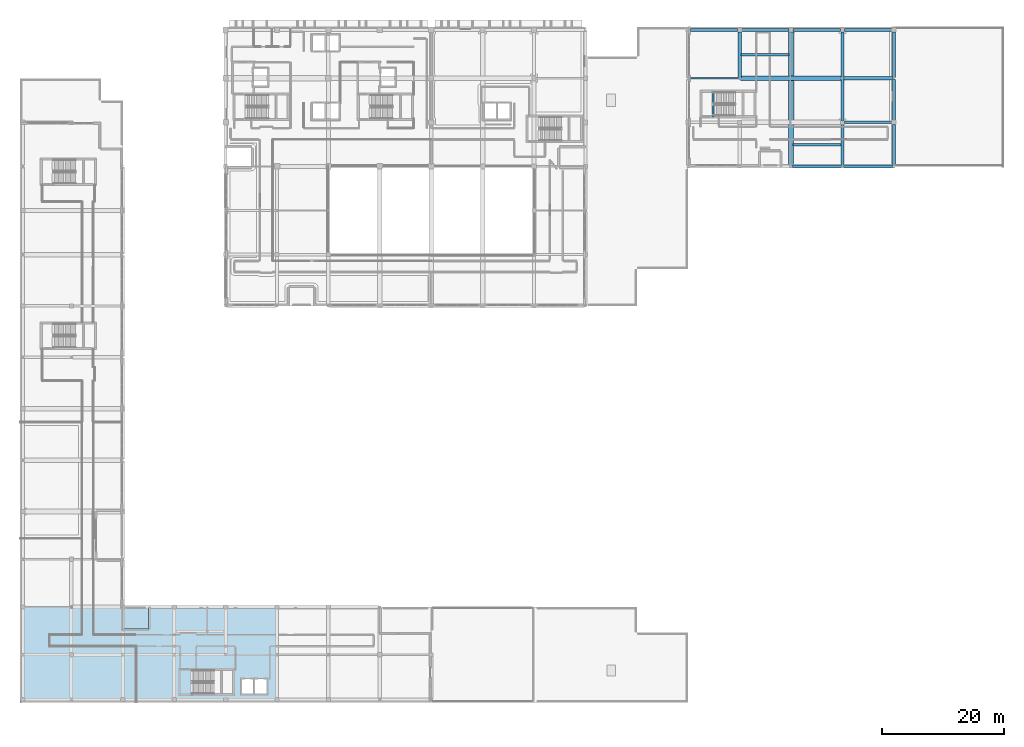
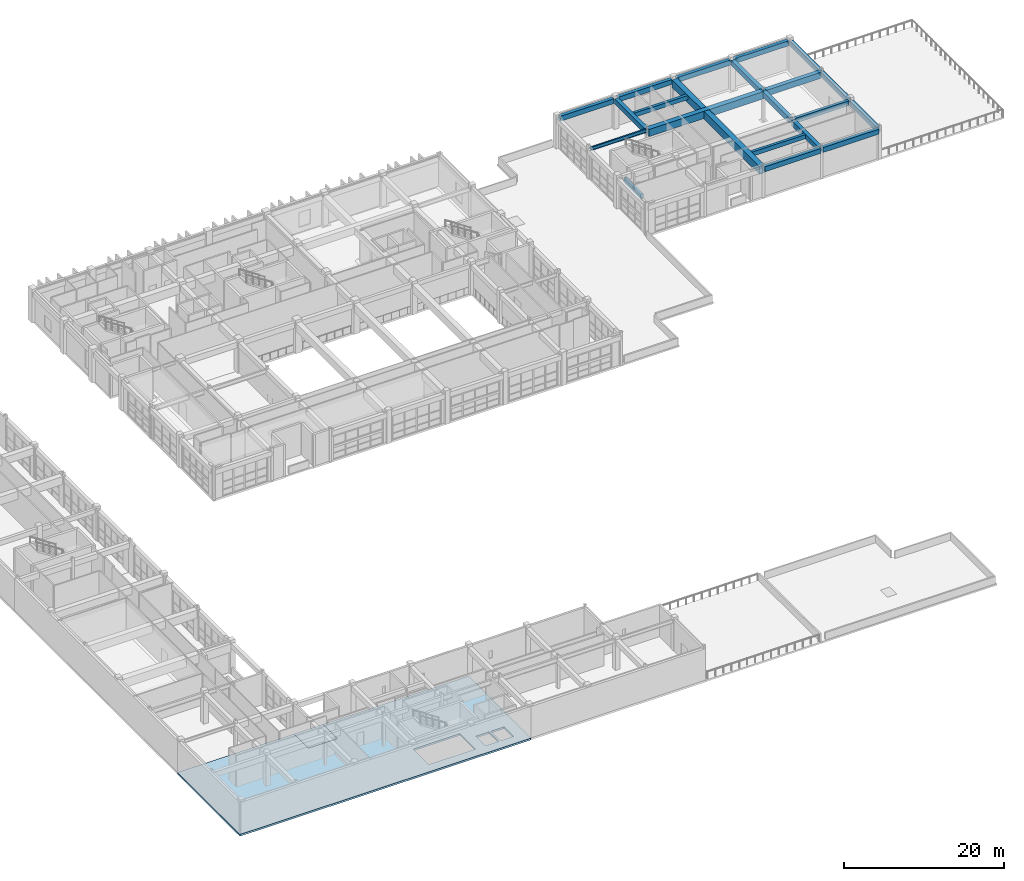
# One storey, part 48 of 78: 21 beams, 2 slabs.
"""IFC4 building model written with IfcOpenShell, lengths in metres."""

from ifc_helpers import new_model, si_unit, direction, frame, origin, origin_2d, place, context, subcontext, project, spatial, polyline, rectangle, i_section, outline, extrude, material, layer, layer_set, material_profile, profile_set, type_object, element, save


model = new_model("IFC4")

# Units and contexts
model_context = context("Model", 3, precision=1e-05, world=origin(), true_north=direction((0.0, 1.0)))
body_context = subcontext(model_context, "Body", "Model", "MODEL_VIEW")
ifc_project = project(units=[si_unit("LENGTHUNIT", "METRE"), si_unit("AREAUNIT", "SQUARE_METRE"), si_unit("VOLUMEUNIT", "CUBIC_METRE"), si_unit("PLANEANGLEUNIT", "RADIAN"), si_unit("MASSUNIT", "GRAM", prefix="KILO")], contexts=[model_context])

# Site, building, storey
site_placement = place(None, origin())
site = spatial("IfcSite", under=ifc_project, at=site_placement, CompositionType="ELEMENT")
building_placement = place(site_placement, origin())
building = spatial("IfcBuilding", under=site, at=building_placement, Name="Quendrovan Civic Courthouse", CompositionType="ELEMENT")
storey_placement = place(building_placement, frame((0.0, 0.0, 10.199951171875)))
storey = spatial("IfcBuildingStorey", under=building, at=storey_placement, Name="L03", CompositionType="ELEMENT", Elevation=10.199951171875)

# Beams
ifc_material_1 = material(Name="Post-tensioned concrete C50/60", Category="concrete")
ifc_material_profile_1 = material_profile(ifc_material_1, rectangle(XDim=0.699951171875, YDim=1.10009765625, at=origin_2d()), Name="PT-GIRD-700x1100")
ifc_profile_set_1 = profile_set([ifc_material_profile_1], Name="Post-tensioned concrete C50/60")
beam_type_1 = type_object("IfcBeamType", Name="BM-PT1100", PredefinedType="BEAM", material=ifc_profile_set_1)
beam_1_placement = place(storey_placement, frame((117.72998046875, 102.0, 4.110107421875), z_axis=(1.0, 0.0, 0.0), x_axis=(0.0, 1.0, 0.0)))
element("IfcBeam", 1, at=beam_1_placement, inside=storey, type_object=beam_type_1, Name="L03 Girder X0780", PredefinedType="BEAM", context=body_context, shape_type="SweptSolid", body=[
    extrude(rectangle(XDim=0.699951171875, YDim=1.10009765625, at=origin_2d()), origin(), (0.0, 0.0, 1.0), 16.5400390625),
])
ifc_material_profile_2 = material_profile(ifc_material_1, rectangle(XDim=0.75, YDim=1.199951171875, at=origin_2d()), Name="PT-GIRD-750x1200")
ifc_profile_set_2 = profile_set([ifc_material_profile_2], Name="Post-tensioned concrete C50/60")
beam_type_2 = type_object("IfcBeamType", Name="BM-PT1200", PredefinedType="BEAM", material=ifc_profile_set_2)
beam_2_placement = place(storey_placement, frame((126.0, 87.76611328125, 4.06005859375), z_axis=(0.0, 1.0, 0.0), x_axis=(-1.0, 0.0, 0.0)))
element("IfcBeam", 2, at=beam_2_placement, inside=storey, type_object=beam_type_2, Name="L03 Girder Y0866", PredefinedType="BEAM", context=body_context, shape_type="SweptSolid", body=[
    extrude(rectangle(XDim=0.75, YDim=1.199951171875, at=origin_2d()), origin(), (0.0, 0.0, 1.0), 21.803955078125),
])
ifc_material_2 = material(Name="Concrete C40/50", Category="concrete")
ifc_material_profile_3 = material_profile(ifc_material_2, rectangle(XDim=0.39990234375, YDim=0.64990234375, at=origin_2d()), Name="RC-BM-400x650")
ifc_profile_set_3 = profile_set([ifc_material_profile_3], Name="Concrete C40/50")
beam_type_3 = type_object("IfcBeamType", Name="BM-RC650", PredefinedType="JOIST", material=ifc_profile_set_3)
for number, where, z_axis, x_axis, name in (
    (3, (117.85498046875, 105.85009765625, 4.3349609375), (1.0, 0.0, 0.0), (0.0, 1.0, 0.0), "L03 Secondary Joist 0874"),
    (4, (126.35498046875, 91.130615234375, 4.3349609375), (1.0, 0.0, 0.0), (0.0, 1.0, 0.0), "L03 Secondary Joist 0875"),
):
    element("IfcBeam", number, at=place(storey_placement, frame(where, z_axis=z_axis, x_axis=x_axis)), inside=storey, type_object=beam_type_3, Name=name, PredefinedType="JOIST", context=body_context, shape_type="SweptSolid", body=[
        extrude(rectangle(XDim=0.39990234375, YDim=0.64990234375, at=origin_2d()), origin(), (0.0, 0.0, 1.0), 7.7900390625),
    ])
beam_3_placement = place(storey_placement, frame((113.25, 95.699951171875, -0.324951171875), z_axis=(0.0, 1.0, 0.0), x_axis=(-1.0, 0.0, 0.0)))
element("IfcBeam", 5, at=beam_3_placement, inside=storey, type_object=beam_type_3, Name="L03 Stair ST6 Landing Trimmer Beam", PredefinedType="JOIST", context=body_context, shape_type="SweptSolid", body=[
    extrude(rectangle(XDim=0.39990234375, YDim=0.64990234375, at=origin_2d()), origin(), (0.0, 0.0, 1.0), 4.199951171875),
])
ifc_material_profile_4 = material_profile(ifc_material_2, rectangle(XDim=0.5, YDim=0.75, at=origin_2d()), Name="RC-BM-500x750")
ifc_profile_set_4 = profile_set([ifc_material_profile_4], Name="Concrete C40/50")
beam_type_4 = type_object("IfcBeamType", Name="BM-RC750", PredefinedType="SPANDREL", material=ifc_profile_set_4)
beam_4_placement = place(storey_placement, frame((126.1669921875, 87.60009765625, 4.28515625), z_axis=(1.0, 0.0, 0.0), x_axis=(0.0, 1.0, 0.0)))
element("IfcBeam", 6, at=beam_4_placement, inside=storey, type_object=beam_type_4, Name="L03 Girder X0769", PredefinedType="SPANDREL", context=body_context, shape_type="SweptSolid", body=[
    extrude(rectangle(XDim=0.5, YDim=0.75, at=origin_2d()), origin(), (0.0, 0.0, 1.0), 8.06591796875),
])
beam_5_placement = place(storey_placement, frame((134.56689453125, 87.60009765625, 4.28515625), z_axis=(1.0, 0.0, 0.0), x_axis=(0.0, 1.0, 0.0)))
element("IfcBeam", 7, at=beam_5_placement, inside=storey, type_object=beam_type_4, Name="L03 Girder X0770", PredefinedType="SPANDREL", context=body_context, shape_type="SweptSolid", body=[
    extrude(rectangle(XDim=0.5, YDim=0.75, at=origin_2d()), origin(), (0.0, 0.0, 1.0), 8.066162109375),
])
for number, where, z_axis, x_axis, name in (
    (8, (109.530029296875, 109.89990234375, 4.28515625), (1.0, 0.0, 0.0), (0.0, 1.0, 0.0), "L03 Girder X0789"),
    (9, (117.929931640625, 109.89990234375, 4.28515625), (1.0, 0.0, 0.0), (0.0, 1.0, 0.0), "L03 Girder X0790"),
    (10, (126.330078125, 109.89990234375, 4.28515625), (1.0, 0.0, 0.0), (0.0, 1.0, 0.0), "L03 Girder X0791"),
    (11, (134.72998046875, 109.89990234375, 4.28515625), (1.0, 0.0, 0.0), (0.0, 1.0, 0.0), "L03 Girder X0792"),
):
    element("IfcBeam", number, at=place(storey_placement, frame(where, z_axis=z_axis, x_axis=x_axis)), inside=storey, type_object=beam_type_4, Name=name, PredefinedType="SPANDREL", context=body_context, shape_type="SweptSolid", body=[
        extrude(rectangle(XDim=0.5, YDim=0.75, at=origin_2d()), origin(), (0.0, 0.0, 1.0), 7.739990234375),
    ])
beam_6_placement = place(storey_placement, frame((142.800048828125, 87.76611328125, 4.28515625), z_axis=(0.0, 1.0, 0.0), x_axis=(-1.0, 0.0, 0.0)))
element("IfcBeam", 12, at=beam_6_placement, inside=storey, type_object=beam_type_4, Name="L03 Girder Y0870", PredefinedType="SPANDREL", context=body_context, shape_type="SweptSolid", body=[
    extrude(rectangle(XDim=0.5, YDim=0.75, at=origin_2d()), origin(), (0.0, 0.0, 1.0), 6.703857421875),
])
beam_7_placement = place(storey_placement, frame((142.800048828125, 95.1298828125, 4.28515625), z_axis=(0.0, 1.0, 0.0), x_axis=(-1.0, 0.0, 0.0)))
element("IfcBeam", 13, at=beam_7_placement, inside=storey, type_object=beam_type_4, Name="L03 Girder Y0871", PredefinedType="SPANDREL", context=body_context, shape_type="SweptSolid", body=[
    extrude(rectangle(XDim=0.5, YDim=0.75, at=origin_2d()), origin(), (0.0, 0.0, 1.0), 6.7041015625),
])
beam_8_placement = place(storey_placement, frame((142.800048828125, 102.166015625, 4.28515625), z_axis=(0.0, 1.0, 0.0), x_axis=(-1.0, 0.0, 0.0)))
element("IfcBeam", 14, at=beam_8_placement, inside=storey, type_object=beam_type_4, Name="L03 Girder Y0872", PredefinedType="SPANDREL", context=body_context, shape_type="SweptSolid", body=[
    extrude(rectangle(XDim=0.5, YDim=0.75, at=origin_2d()), origin(), (0.0, 0.0, 1.0), 7.404052734375),
])
ifc_material_profile_5 = material_profile(ifc_material_2, rectangle(XDim=0.39990234375, YDim=0.75, at=origin_2d()), Name="RC-BM-400x750")
ifc_profile_set_5 = profile_set([ifc_material_profile_5], Name="Concrete C40/50")
beam_type_5 = type_object("IfcBeamType", Name="BM-RC750B", PredefinedType="BEAM", material=ifc_profile_set_5)
beam_9_placement = place(storey_placement, frame((134.705078125, 94.800048828125, 4.28515625), z_axis=(1.0, 0.0, 0.0), x_axis=(0.0, 1.0, 0.0)))
element("IfcBeam", 15, at=beam_9_placement, inside=storey, type_object=beam_type_5, Name="L03 Girder X0774", PredefinedType="BEAM", context=body_context, shape_type="SweptSolid", body=[
    extrude(rectangle(XDim=0.39990234375, YDim=0.75, at=origin_2d()), origin(), (0.0, 0.0, 1.0), 7.764892578125),
])
ifc_material_profile_6 = material_profile(ifc_material_2, rectangle(XDim=0.550048828125, YDim=0.800048828125, at=origin_2d()), Name="RC-BM-550x800")
ifc_profile_set_6 = profile_set([ifc_material_profile_6], Name="Concrete C40/50")
beam_type_6 = type_object("IfcBeamType", Name="BM-RC800", PredefinedType="BEAM", material=ifc_profile_set_6)
beam_10_placement = place(storey_placement, frame((117.60009765625, 102.1298828125, 4.260009765625), z_axis=(0.0, 1.0, 0.0), x_axis=(-1.0, 0.0, 0.0)))
element("IfcBeam", 16, at=beam_10_placement, inside=storey, type_object=beam_type_6, Name="L03 Girder Y0865", PredefinedType="BEAM", context=body_context, shape_type="SweptSolid", body=[
    extrude(rectangle(XDim=0.550048828125, YDim=0.800048828125, at=origin_2d()), origin(), (0.0, 0.0, 1.0), 7.440185546875),
])
beam_11_placement = place(storey_placement, frame((134.39990234375, 87.76611328125, 4.260009765625), z_axis=(0.0, 1.0, 0.0), x_axis=(-1.0, 0.0, 0.0)))
element("IfcBeam", 17, at=beam_11_placement, inside=storey, type_object=beam_type_6, Name="L03 Girder Y0867", PredefinedType="BEAM", context=body_context, shape_type="SweptSolid", body=[
    extrude(rectangle(XDim=0.550048828125, YDim=0.800048828125, at=origin_2d()), origin(), (0.0, 0.0, 1.0), 6.72900390625),
])
beam_12_placement = place(storey_placement, frame((134.39990234375, 95.10498046875, 4.260009765625), z_axis=(0.0, 1.0, 0.0), x_axis=(-1.0, 0.0, 0.0)))
element("IfcBeam", 18, at=beam_12_placement, inside=storey, type_object=beam_type_6, Name="L03 Girder Y0868", PredefinedType="BEAM", context=body_context, shape_type="SweptSolid", body=[
    extrude(rectangle(XDim=0.550048828125, YDim=0.800048828125, at=origin_2d()), origin(), (0.0, 0.0, 1.0), 6.76513671875),
])
beam_13_placement = place(storey_placement, frame((134.39990234375, 102.1298828125, 4.260009765625), z_axis=(0.0, 1.0, 0.0), x_axis=(-1.0, 0.0, 0.0)))
element("IfcBeam", 19, at=beam_13_placement, inside=storey, type_object=beam_type_6, Name="L03 Girder Y0869", PredefinedType="BEAM", context=body_context, shape_type="SweptSolid", body=[
    extrude(rectangle(XDim=0.550048828125, YDim=0.800048828125, at=origin_2d()), origin(), (0.0, 0.0, 1.0), 7.440185546875),
])
ifc_material_profile_7 = material_profile(ifc_material_2, rectangle(XDim=0.60009765625, YDim=0.89990234375, at=origin_2d()), Name="RC-BM-600x900")
ifc_profile_set_7 = profile_set([ifc_material_profile_7], Name="Concrete C40/50")
beam_type_7 = type_object("IfcBeamType", Name="BM-RC900", PredefinedType="BEAM", material=ifc_profile_set_7)
beam_14_placement = place(storey_placement, frame((134.530029296875, 102.0, 4.2099609375), z_axis=(1.0, 0.0, 0.0), x_axis=(0.0, 1.0, 0.0)))
element("IfcBeam", 20, at=beam_14_placement, inside=storey, type_object=beam_type_7, Name="L03 Girder X0781", PredefinedType="BEAM", context=body_context, shape_type="SweptSolid", body=[
    extrude(rectangle(XDim=0.60009765625, YDim=0.89990234375, at=origin_2d()), origin(), (0.0, 0.0, 1.0), 8.10302734375),
])
ifc_material_3 = material(Name="Steel ASTM A992 Grade 50", Category="steel")
ifc_material_profile_8 = material_profile(ifc_material_3, i_section(OverallWidth=0.208984375, OverallDepth=0.532958984375, WebThickness=0.01025390625, FlangeThickness=0.015625, at=origin_2d()), Name="W21X62")
ifc_profile_set_8 = profile_set([ifc_material_profile_8], Name="Steel ASTM A992 Grade 50")
beam_type_8 = type_object("IfcBeamType", Name="BM-STL-W21", PredefinedType="JOIST", material=ifc_profile_set_8)
beam_15_placement = place(storey_placement, frame((109.366943359375, 102.0, 4.3935546875), z_axis=(1.0, 0.0, 0.0), x_axis=(0.0, 1.0, 0.0)))
element("IfcBeam", 21, at=beam_15_placement, inside=storey, type_object=beam_type_8, Name="L03 Girder X0779", PredefinedType="JOIST", context=body_context, shape_type="SweptSolid", body=[
    extrude(i_section(OverallWidth=0.208984375, OverallDepth=0.532958984375, WebThickness=0.01025390625, FlangeThickness=0.015625, at=origin_2d()), origin(), (0.0, 0.0, 1.0), 8.10302734375),
])

# Slabs
ifc_layer_1 = layer(ifc_material_1, 0.280029296875, Name="Post-tensioned concrete C50/60")
ifc_layer_set_1 = layer_set([ifc_layer_1], Name="Post-tensioned concrete C50/60")
slab_type_1 = type_object("IfcSlabType", Name="SLB-PT-280", PredefinedType="FLOOR", material=ifc_layer_set_1)
slab_1_placement = place(storey_placement, frame((0.0, 0.0, -0.280029296875)))
element("IfcSlab", 22, at=slab_1_placement, inside=storey, type_object=slab_type_1, Name="L03 Structural Floor Slab V5W", PredefinedType="FLOOR", context=body_context, shape_type="SweptSolid", body=[
    extrude(outline(polyline([(42.0, 0.0), (0.0, 0.0), (0.0, 15.60009765625), (16.800048828125, 15.60009765625), (16.800048828125, 12.0), (21.0, 12.0), (21.0, 15.60009765625), (42.0, 15.60009765625), (42.0, 0.0)]), holes=[polyline([(36.25, 1.39990234375), (38.14990234375, 1.39990234375), (38.14990234375, 3.800048828125), (36.25, 3.800048828125), (36.25, 1.39990234375)]), polyline([(38.39990234375, 3.800048828125), (38.39990234375, 1.39990234375), (40.300048828125, 1.39990234375), (40.300048828125, 3.800048828125), (38.39990234375, 3.800048828125)]), polyline([(28.050048828125, 5.280029296875), (28.050048828125, 1.39990234375), (34.800048828125, 1.39990234375), (34.800048828125, 5.280029296875), (28.050048828125, 5.280029296875)])]), origin(), (0.0, 0.0, 1.0), 0.280029296875),
])
ifc_layer_2 = layer(ifc_material_2, 0.219970703125, Name="Concrete C40/50")
ifc_layer_set_2 = layer_set([ifc_layer_2], Name="Concrete C40/50")
slab_type_2 = type_object("IfcSlabType", Name="SLB-RC-220", PredefinedType="ROOF", material=ifc_layer_set_2)
slab_2_placement = place(storey_placement, frame((0.0, 0.0, -0.219970703125)))
element("IfcSlab", 23, at=slab_2_placement, inside=storey, type_object=slab_type_2, Name="L03 Step-Back Structural Roof Slab SLB-ROOF-L03-08", PredefinedType="ROOF", context=body_context, shape_type="SweptSolid", body=[
    extrude(outline(polyline([(21.0, 15.60009765625), (21.0, 12.0), (16.800048828125, 12.0), (16.800048828125, 15.60009765625), (21.0, 15.60009765625)])), origin(), (0.0, 0.0, 1.0), 0.219970703125),
])

save(model, "model.ifc")
